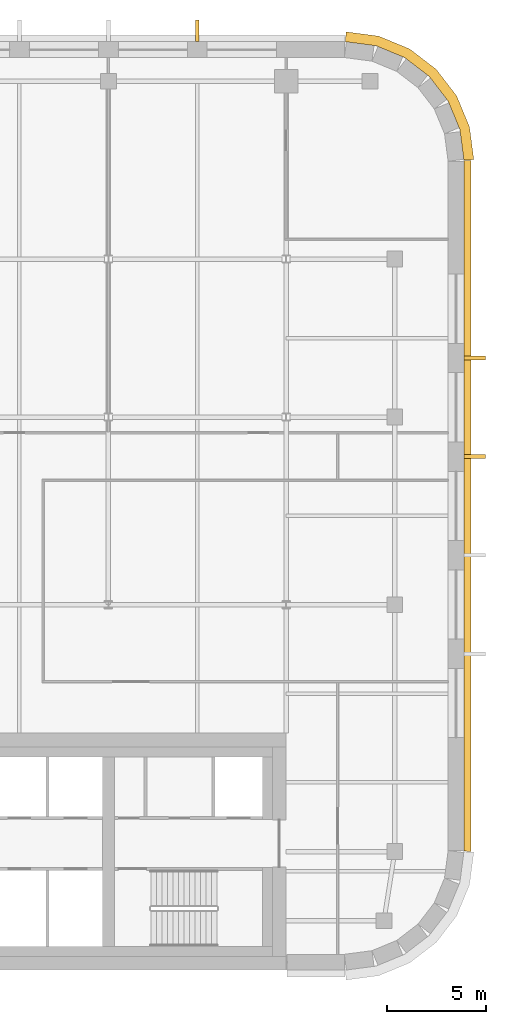
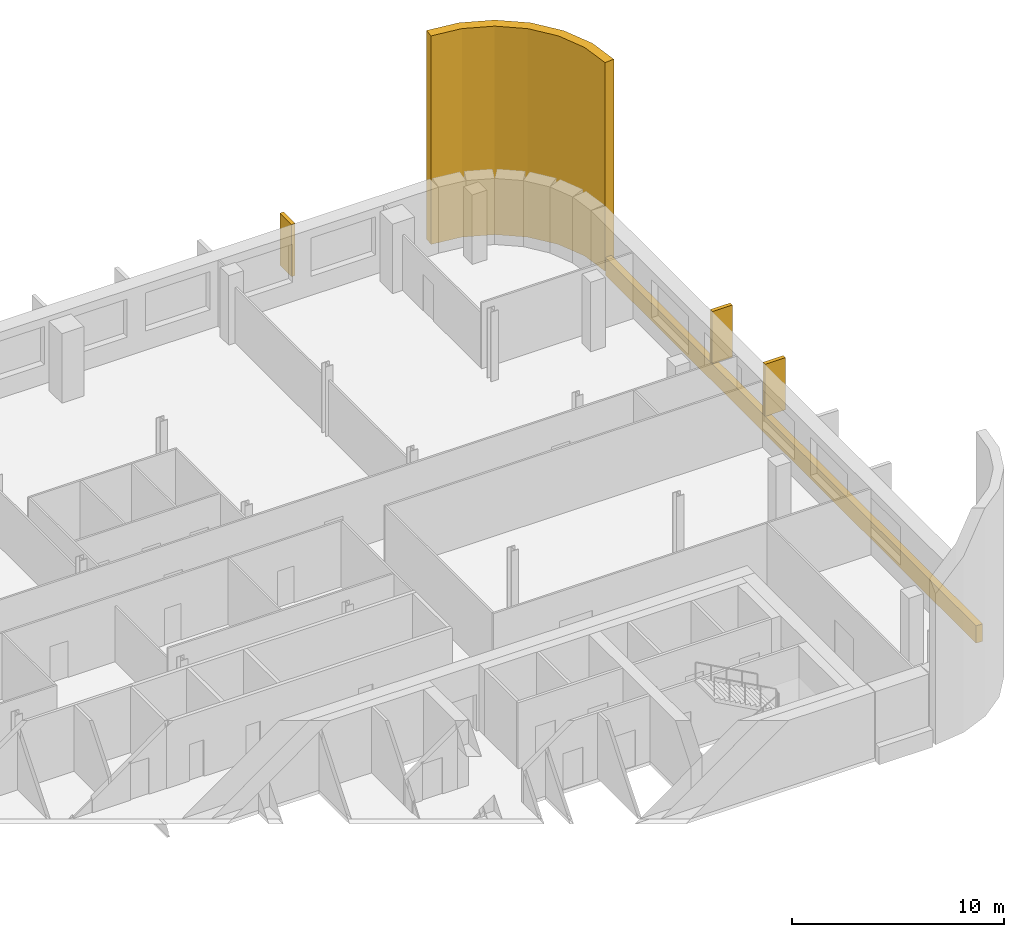
# One storey, part 16 of 16: 5 coverings.
"""IFC4 building model written with IfcOpenShell, lengths in metres."""

from ifc_helpers import new_model, si_unit, direction, frame, origin, place, context, subcontext, project, spatial, polyline, outline, extrude, material, layer, layer_set, type_object, element, save


model = new_model("IFC4")

# Units and contexts
model_context = context("Model", 3, precision=1e-05, world=origin(), true_north=direction((0.0, 1.0)))
body_context = subcontext(model_context, "Body", "Model", "MODEL_VIEW")
ifc_project = project(units=[si_unit("LENGTHUNIT", "METRE"), si_unit("AREAUNIT", "SQUARE_METRE"), si_unit("VOLUMEUNIT", "CUBIC_METRE"), si_unit("PLANEANGLEUNIT", "RADIAN"), si_unit("MASSUNIT", "GRAM", prefix="KILO")], contexts=[model_context])

# Site, building, storey
site_placement = place(None, origin())
site = spatial("IfcSite", under=ifc_project, at=site_placement, CompositionType="ELEMENT")
building_placement = place(site_placement, origin())
building = spatial("IfcBuilding", under=site, at=building_placement, Name="Zellij Exchange Tower", CompositionType="ELEMENT")
storey_placement = place(building_placement, frame((0.0, 0.0, 244.5)))
storey = spatial("IfcBuildingStorey", under=building, at=storey_placement, Name="L57", CompositionType="ELEMENT", Elevation=244.5)

# Coverings
ifc_material = material(Name="Limestone cladding", Category="masonry")
ifc_layer_1 = layer(ifc_material, 0.35009765625)
ifc_layer_set_1 = layer_set([ifc_layer_1], Name="Limestone cladding")
covering_type_1 = type_object("IfcCoveringType", Name="ENV-CV10 Stone spandrel band 350", PredefinedType="CLADDING", material=ifc_layer_set_1)
covering_1_placement = place(storey_placement, frame((0.0, 0.0, -0.199951171875)))
element("IfcCovering", 1, at=covering_1_placement, inside=storey, type_object=covering_type_1, Name="Stone spandrel band", PredefinedType="CLADDING", context=body_context, shape_type="SweptSolid", body=[
    extrude(outline(polyline([(36.0, -7.973876953125), (36.0, 26.973876953125), (36.35009765625, 26.99658203125), (36.35009765625, -7.99658203125), (36.0, -7.973876953125)])), origin(), (0.0, 0.0, 1.0), 1.0),
])
ifc_layer_2 = layer(ifc_material, 0.5)
ifc_layer_set_2 = layer_set([ifc_layer_2], Name="Limestone cladding")
covering_type_2 = type_object("IfcCoveringType", Name="ENV-CV12 Stone corner pier 500", PredefinedType="CLADDING", material=ifc_layer_set_2)
covering_2_placement = place(storey_placement, origin())
element("IfcCovering", 2, at=covering_2_placement, inside=storey, type_object=covering_type_2, Name="Stone corner pier", PredefinedType="CLADDING", context=body_context, shape_type="SweptSolid", body=[
    extrude(outline(polyline([(36.0, 27.0), (35.795654296875, 28.552978515625), (35.1962890625, 30.0), (34.24267578125, 31.24267578125), (33.0, 32.1962890625), (31.552978515625, 32.795654296875), (30.0, 33.0), (30.03271484375, 33.5), (31.683349609375, 33.28271484375), (33.252197265625, 32.6328125), (34.59912109375, 31.59912109375), (35.6328125, 30.252197265625), (36.28271484375, 28.683349609375), (36.5, 27.03271484375), (36.0, 27.0)])), origin(), (0.0, 0.0, 1.0), 12.0),
])
covering_type_3 = type_object("IfcCoveringType", Name="ENV-CV6 Stone pier 200x1100", PredefinedType="CLADDING", material=ifc_material)
covering_3_placement = place(storey_placement, frame((0.0, 0.0, 0.800048828125)))
element("IfcCovering", 3, at=covering_3_placement, inside=storey, type_object=covering_type_3, Name="Stone pier", PredefinedType="CLADDING", context=body_context, shape_type="SweptSolid", body=[
    extrude(outline(polyline([(36.0, 11.896240234375), (36.0, 12.09619140625), (37.10009765625, 12.09619140625), (37.10009765625, 11.896240234375), (36.0, 11.896240234375)])), origin(), (0.0, 0.0, 1.0), 3.0),
])
covering_4_placement = place(storey_placement, frame((0.0, 0.0, 0.800048828125)))
element("IfcCovering", 4, at=covering_4_placement, inside=storey, type_object=covering_type_3, Name="Stone pier", PredefinedType="CLADDING", context=body_context, shape_type="SweptSolid", body=[
    extrude(outline(polyline([(36.0, 16.888916015625), (36.0, 17.0888671875), (37.10009765625, 17.0888671875), (37.10009765625, 16.888916015625), (36.0, 16.888916015625)])), origin(), (0.0, 0.0, 1.0), 3.0),
])
covering_5_placement = place(storey_placement, frame((0.0, 0.0, 0.800048828125)))
element("IfcCovering", 5, at=covering_5_placement, inside=storey, type_object=covering_type_3, Name="Stone pier", PredefinedType="CLADDING", context=body_context, shape_type="SweptSolid", body=[
    extrude(outline(polyline([(22.60009765625, 33.0), (22.39990234375, 33.0), (22.39990234375, 34.10009765625), (22.60009765625, 34.10009765625), (22.60009765625, 33.0)])), origin(), (0.0, 0.0, 1.0), 3.0),
])

save(model, "model.ifc")
